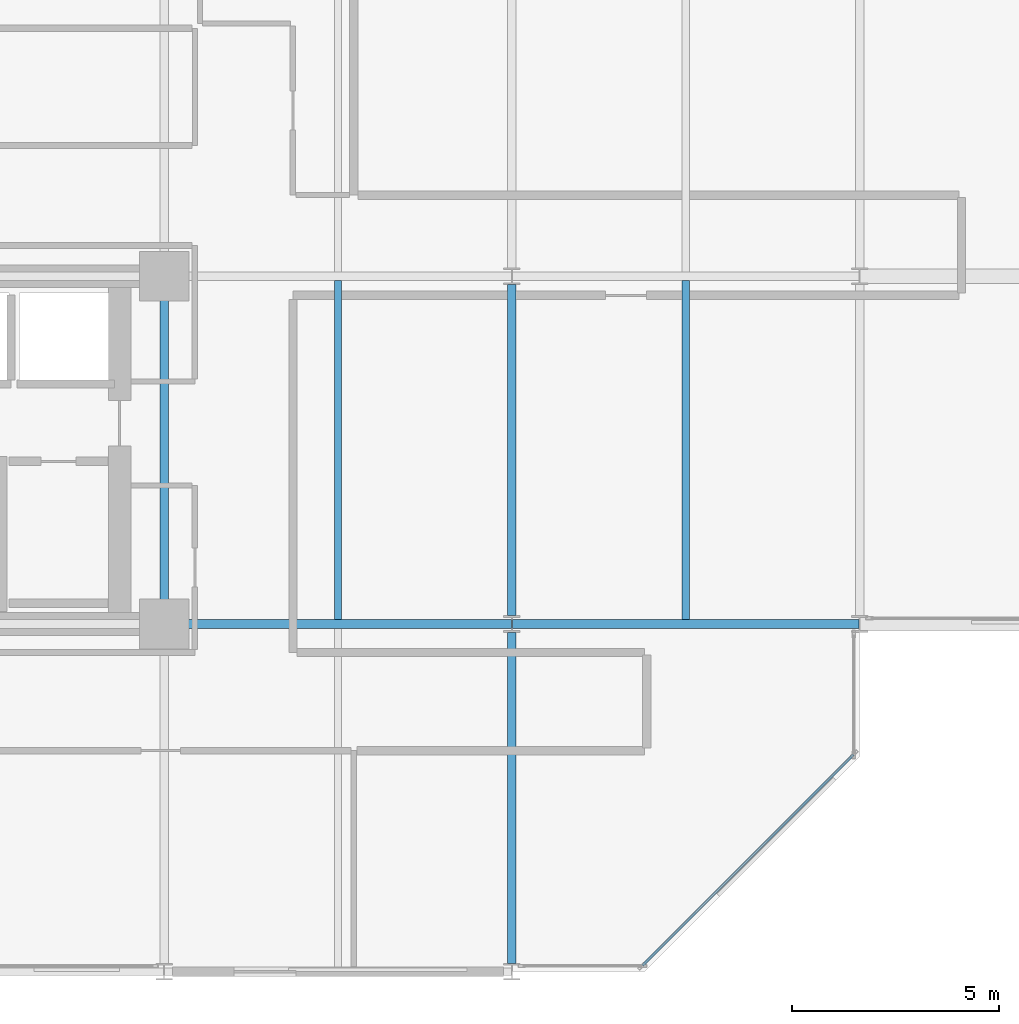
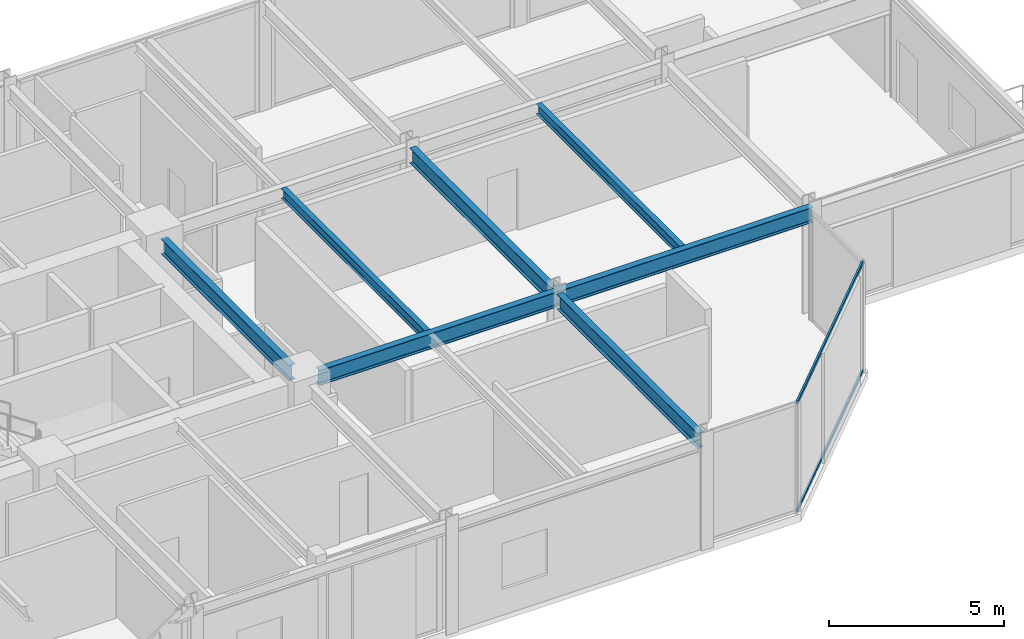
# One storey, part 17 of 38: 7 beams, 2 members, 1 element without a shape of its own.
"""IFC4 building model written with IfcOpenShell, lengths in metres."""

from ifc_helpers import new_model, si_unit, direction, frame, origin, origin_2d, place, context, subcontext, project, spatial, hollow_rectangle, i_section, extrude, material, layer, layer_set, material_profile, profile_set, type_object, element, aggregate, save


model = new_model("IFC4")

# Units and contexts
model_context = context("Model", 3, precision=1e-05, world=origin(), true_north=direction((0.0, 1.0)))
body_context = subcontext(model_context, "Body", "Model", "MODEL_VIEW")
ifc_project = project(units=[si_unit("LENGTHUNIT", "METRE"), si_unit("AREAUNIT", "SQUARE_METRE"), si_unit("VOLUMEUNIT", "CUBIC_METRE"), si_unit("PLANEANGLEUNIT", "RADIAN"), si_unit("MASSUNIT", "GRAM", prefix="KILO")], contexts=[model_context])

# Site, building, storey
site_placement = place(None, origin())
site = spatial("IfcSite", under=ifc_project, at=site_placement, CompositionType="ELEMENT")
building_placement = place(site_placement, origin())
building = spatial("IfcBuilding", under=site, at=building_placement, Name="Nerrivon Quay Data Exchange", CompositionType="ELEMENT")
storey_placement = place(building_placement, frame((0.0, 0.0, 84.39990234375)))
storey = spatial("IfcBuildingStorey", under=building, at=storey_placement, Name="L19", CompositionType="ELEMENT", Elevation=84.39990234375)

# Beams
ifc_material_1 = material(Name="Steel Grade 350", Category="steel")
ifc_material_profile_1 = material_profile(ifc_material_1, i_section(OverallWidth=0.208984375, OverallDepth=0.532958984375, WebThickness=0.01025390625, FlangeThickness=0.015625, FilletRadius=0.013916015625, at=origin_2d()), Name="530UB92.4")
ifc_profile_set_1 = profile_set([ifc_material_profile_1], Name="Steel Grade 350")
beam_type_1 = type_object("IfcBeamType", Name="BM-G3-530UB92", PredefinedType="BEAM", material=ifc_profile_set_1)
beam_1_placement = place(storey_placement, frame((34.139892578125, 8.39990234375, 3.55859375), z_axis=(1.0, 0.0, 0.0), x_axis=(0.0, 1.0, 0.0)))
element("IfcBeam", 1, at=beam_1_placement, inside=storey, type_object=beam_type_1, Name="L19 EW Girder Y=8.4 (33.6..42.0)", PredefinedType="BEAM", context=body_context, shape_type="SweptSolid", body=[
    extrude(i_section(OverallWidth=0.208984375, OverallDepth=0.532958984375, WebThickness=0.01025390625, FlangeThickness=0.015625, FilletRadius=0.013916015625, at=origin_2d()), origin(), (0.0, 0.0, 1.0), 7.84765625),
])
beam_2_placement = place(storey_placement, frame((42.012451171875, 8.39990234375, 3.55859375), z_axis=(1.0, 0.0, 0.0), x_axis=(0.0, 1.0, 0.0)))
element("IfcBeam", 2, at=beam_2_placement, inside=storey, type_object=beam_type_1, Name="L19 EW Girder Y=8.4 (42.0..50.4)", PredefinedType="BEAM", context=body_context, shape_type="SweptSolid", body=[
    extrude(i_section(OverallWidth=0.208984375, OverallDepth=0.532958984375, WebThickness=0.01025390625, FlangeThickness=0.015625, FilletRadius=0.013916015625, at=origin_2d()), origin(), (0.0, 0.0, 1.0), 8.375),
])
ifc_material_profile_2 = material_profile(ifc_material_1, i_section(OverallWidth=0.208984375, OverallDepth=0.528076171875, WebThickness=0.009521484375, FlangeThickness=0.01318359375, FilletRadius=0.013916015625, at=origin_2d()), Name="530UB82.0")
ifc_profile_set_2 = profile_set([ifc_material_profile_2], Name="Steel Grade 350")
beam_type_2 = type_object("IfcBeamType", Name="BM-G4-530UB82", PredefinedType="BEAM", material=ifc_profile_set_2)
beam_3_placement = place(storey_placement, frame((33.60009765625, 8.93994140625, 3.56103515625), z_axis=(0.0, 1.0, 0.0), x_axis=(-1.0, 0.0, 0.0)))
element("IfcBeam", 3, at=beam_3_placement, inside=storey, type_object=beam_type_2, Name="L19 NS Girder X=33.6 (8.4..16.8)", PredefinedType="BEAM", context=body_context, shape_type="SweptSolid", body=[
    extrude(i_section(OverallWidth=0.208984375, OverallDepth=0.528076171875, WebThickness=0.009521484375, FlangeThickness=0.01318359375, FilletRadius=0.013916015625, at=origin_2d()), origin(), (0.0, 0.0, 1.0), 7.320068359375),
])
for number, where, z_axis, x_axis, name in (
    (4, (42.0, 0.199951171875, 3.56103515625), (0.0, 1.0, 0.0), (-1.0, 0.0, 0.0), "L19 NS Girder X=42.0 (0.0..8.4)"),
    (5, (42.0, 8.60009765625, 3.56103515625), (0.0, 1.0, 0.0), (-1.0, 0.0, 0.0), "L19 NS Girder X=42.0 (8.4..16.8)"),
):
    element("IfcBeam", number, at=place(storey_placement, frame(where, z_axis=z_axis, x_axis=x_axis)), inside=storey, type_object=beam_type_2, Name=name, PredefinedType="BEAM", context=body_context, shape_type="SweptSolid", body=[
        extrude(i_section(OverallWidth=0.208984375, OverallDepth=0.528076171875, WebThickness=0.009521484375, FlangeThickness=0.01318359375, FilletRadius=0.013916015625, at=origin_2d()), origin(), (0.0, 0.0, 1.0), 8.0),
    ])
ifc_material_profile_3 = material_profile(ifc_material_1, i_section(OverallWidth=0.1708984375, OverallDepth=0.35595703125, WebThickness=0.00732421875, FlangeThickness=0.011474609375, FilletRadius=0.011474609375, at=origin_2d()), Name="360UB50.7")
ifc_profile_set_3 = profile_set([ifc_material_profile_3], Name="Steel Grade 350")
beam_type_3 = type_object("IfcBeamType", Name="BM-J4-360UB51", PredefinedType="JOIST", material=ifc_profile_set_3)
for number, where, z_axis, x_axis, name in (
    (6, (37.800048828125, 8.50439453125, 3.647216796875), (0.0, 1.0, 0.0), (-1.0, 0.0, 0.0), "L19 Secondary Joist X=37.8 (8.4..16.8)"),
    (7, (46.199951171875, 8.50439453125, 3.647216796875), (0.0, 1.0, 0.0), (-1.0, 0.0, 0.0), "L19 Secondary Joist X=46.2 (8.4..16.8)"),
):
    element("IfcBeam", number, at=place(storey_placement, frame(where, z_axis=z_axis, x_axis=x_axis)), inside=storey, type_object=beam_type_3, Name=name, PredefinedType="JOIST", context=body_context, shape_type="SweptSolid", body=[
        extrude(i_section(OverallWidth=0.1708984375, OverallDepth=0.35595703125, WebThickness=0.00732421875, FlangeThickness=0.011474609375, FilletRadius=0.011474609375, at=origin_2d()), origin(), (0.0, 0.0, 1.0), 8.191162109375),
    ])

# Curtain wall, members
ifc_material_2 = material(Name="Anodised aluminium 6063-T6", Category="aluminium")
ifc_layer = layer(ifc_material_2, 0.2099609375)
ifc_layer_set = layer_set([ifc_layer], Name="Anodised aluminium 6063-T6")
curtain_wall_type = type_object("IfcCurtainWallType", Name="CW-SYS-02", PredefinedType="NOTDEFINED", material=ifc_layer_set)
curtain_wall_placement = place(storey_placement, origin())
curtain_wall = element("IfcCurtainWall", 8, at=curtain_wall_placement, inside=storey, type_object=curtain_wall_type, Name="L19 Unitised Curtain Wall 5", PredefinedType="NOTDEFINED")
ifc_material_profile_4 = material_profile(ifc_material_2, hollow_rectangle(XDim=0.06005859375, YDim=0.1201171875, WallThickness=0.003173828125, at=origin_2d()), Name="ALU-TRAN-120x60")
ifc_profile_set_4 = profile_set([ifc_material_profile_4], Name="Anodised aluminium 6063-T6")
member_type = type_object("IfcMemberType", Name="CWT-120x60", PredefinedType="USERDEFINED", material=ifc_profile_set_4)
member_1_placement = place(storey_placement, frame((50.248046875, 5.245849609375, 0.03271484375), z_axis=(-0.707123726196, -0.707089835771, 0.0), x_axis=(0.707089835771, -0.707123726196, 0.0)))
member_1 = element("IfcMember", 9, at=member_1_placement, type_object=member_type, Name="CW02 transom 1.1", ObjectType="TRANSOM", PredefinedType="USERDEFINED", context=body_context, shape_type="SweptSolid", body=[
    extrude(hollow_rectangle(XDim=0.06005859375, YDim=0.1201171875, WallThickness=0.003173828125, at=origin_2d()), origin(), (0.0, 0.0, 1.0), 7.203857421875),
])
member_2_placement = place(storey_placement, frame((50.248046875, 5.245849609375, 3.79248046875), z_axis=(-0.707123726196, -0.707089835771, 0.0), x_axis=(0.707089835771, -0.707123726196, 0.0)))
member_2 = element("IfcMember", 10, at=member_2_placement, type_object=member_type, Name="CW02 transom 1.2", ObjectType="TRANSOM", PredefinedType="USERDEFINED", context=body_context, shape_type="SweptSolid", body=[
    extrude(hollow_rectangle(XDim=0.06005859375, YDim=0.1201171875, WallThickness=0.003173828125, at=origin_2d()), origin(), (0.0, 0.0, 1.0), 7.203857421875),
])
aggregate(curtain_wall, [member_1, member_2])

save(model, "model.ifc")
